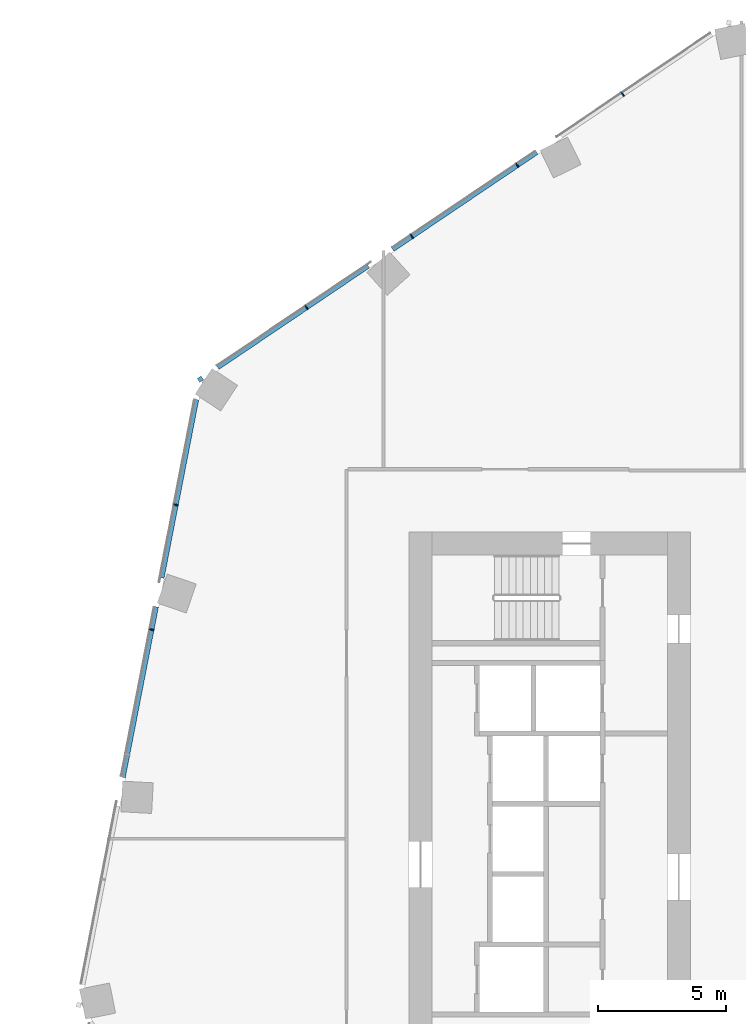
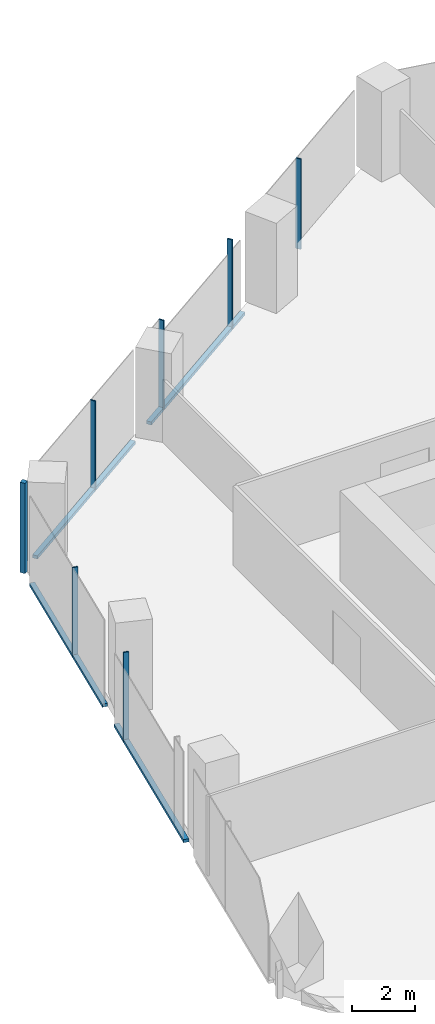
# One storey, part 9 of 25: 11 members, 2 elements without a shape of their own.
"""IFC4 building model written with IfcOpenShell, lengths in metres."""

from ifc_helpers import new_model, si_unit, direction, frame, origin, origin_2d, place, context, subcontext, project, spatial, rectangle, extrude, material, material_profile, profile_set, type_object, element, aggregate, save


model = new_model("IFC4")

# Units and contexts
model_context = context("Model", 3, precision=1e-05, world=origin(), true_north=direction((0.0, 1.0)))
body_context = subcontext(model_context, "Body", "Model", "MODEL_VIEW")
ifc_project = project(units=[si_unit("LENGTHUNIT", "METRE"), si_unit("AREAUNIT", "SQUARE_METRE"), si_unit("VOLUMEUNIT", "CUBIC_METRE"), si_unit("PLANEANGLEUNIT", "RADIAN"), si_unit("MASSUNIT", "GRAM", prefix="KILO")], contexts=[model_context])

# Site, building, storey
site_placement = place(None, origin())
site = spatial("IfcSite", under=ifc_project, at=site_placement, CompositionType="ELEMENT")
building_placement = place(site_placement, origin())
building = spatial("IfcBuilding", under=site, at=building_placement, Name="Orlundy Tower", CompositionType="ELEMENT")
storey_placement = place(building_placement, frame((0.0, 0.0, 159.60009765625)))
storey = spatial("IfcBuildingStorey", under=building, at=storey_placement, Name="L41", CompositionType="ELEMENT", Elevation=159.60009765625)

# Curtain wall, member
ifc_material_1 = material(Name="Aluminium bronze anodised", Category="aluminium")
curtain_wall_type = type_object("IfcCurtainWallType", Name="CW1 wall", PredefinedType="NOTDEFINED", material=ifc_material_1)
curtain_wall_1_placement = place(storey_placement, origin())
curtain_wall_1 = element("IfcCurtainWall", 1, at=curtain_wall_1_placement, inside=storey, type_object=curtain_wall_type, Name="CW1 run 03", PredefinedType="NOTDEFINED")
ifc_material_2 = material(Name="Aluminium bronze anodised", Category="aluminium")
ifc_material_profile_1 = material_profile(ifc_material_2, rectangle(XDim=0.179931640625, YDim=0.179931640625, at=origin_2d()), Name="CW1 corner post 180x180")
ifc_profile_set_1 = profile_set([ifc_material_profile_1], Name="Aluminium bronze anodised")
member_type_1 = type_object("IfcMemberType", Name="CW1 corner post 180x180", PredefinedType="MULLION", material=ifc_profile_set_1)
member_1_placement = place(storey_placement, frame((-27.1591796875, 17.975830078125, -0.400146484375), z_axis=(0.0, 0.0, 1.0), x_axis=(-0.559204698608, 0.829029616512, 0.0)))
member_1 = element("IfcMember", 2, at=member_1_placement, type_object=member_type_1, Name="CW1 mullion 14", PredefinedType="MULLION", context=body_context, shape_type="SweptSolid", body=[
    extrude(rectangle(XDim=0.179931640625, YDim=0.179931640625, at=origin_2d()), origin(), (0.0, 0.0, 1.0), 3.5),
])

# Curtain wall, members
curtain_wall_2_placement = place(storey_placement, origin())
curtain_wall_2 = element("IfcCurtainWall", 3, at=curtain_wall_2_placement, inside=storey, type_object=curtain_wall_type, Name="CW1 run 02", PredefinedType="NOTDEFINED")
ifc_material_3 = material(Name="Aluminium bronze anodised", Category="aluminium")
ifc_material_profile_2 = material_profile(ifc_material_3, rectangle(XDim=0.179931640625, YDim=0.050048828125, at=origin_2d()), Name="CW1 mullion 50x180")
ifc_profile_set_2 = profile_set([ifc_material_profile_2], Name="Aluminium bronze anodised")
member_type_2 = type_object("IfcMemberType", Name="CW1 mullion 50x180", PredefinedType="MULLION", material=ifc_profile_set_2)
member_2_placement = place(storey_placement, frame((-29.063232421875, 8.1806640625, -0.400146484375), z_axis=(0.0, 0.0, 1.0), x_axis=(-0.981627952333, 0.19080503976, 0.0)))
member_2 = element("IfcMember", 4, at=member_2_placement, type_object=member_type_2, Name="CW1 mullion 12", PredefinedType="MULLION", context=body_context, shape_type="SweptSolid", body=[
    extrude(rectangle(XDim=0.179931640625, YDim=0.050048828125, at=origin_2d()), origin(), (0.0, 0.0, 1.0), 3.5),
])
member_3_placement = place(storey_placement, frame((-28.11474609375, 13.06005859375, -0.400146484375), z_axis=(0.0, 0.0, 1.0), x_axis=(-0.981627952333, 0.19080503976, 0.0)))
member_3 = element("IfcMember", 5, at=member_3_placement, type_object=member_type_2, Name="CW1 mullion 13", PredefinedType="MULLION", context=body_context, shape_type="SweptSolid", body=[
    extrude(rectangle(XDim=0.179931640625, YDim=0.050048828125, at=origin_2d()), origin(), (0.0, 0.0, 1.0), 3.5),
])

# Member
member_4_placement = place(storey_placement, frame((-23.007568359375, 20.776123046875, -0.400146484375), z_axis=(0.0, 0.0, 1.0), x_axis=(-0.559204698608, 0.829029616512, 0.0)))
member_4 = element("IfcMember", 6, at=member_4_placement, type_object=member_type_2, Name="CW1 mullion 15", PredefinedType="MULLION", context=body_context, shape_type="SweptSolid", body=[
    extrude(rectangle(XDim=0.179931640625, YDim=0.050048828125, at=origin_2d()), origin(), (0.0, 0.0, 1.0), 3.5),
])

member_5_placement = place(storey_placement, frame((-18.88671875, 23.555908203125, -0.400146484375), z_axis=(0.0, 0.0, 1.0), x_axis=(-0.559204698608, 0.829029616512, 0.0)))
member_5 = element("IfcMember", 7, at=member_5_placement, type_object=member_type_2, Name="CW1 mullion 16", PredefinedType="MULLION", context=body_context, shape_type="SweptSolid", body=[
    extrude(rectangle(XDim=0.179931640625, YDim=0.050048828125, at=origin_2d()), origin(), (0.0, 0.0, 1.0), 3.5),
])

member_6_placement = place(storey_placement, frame((-14.765869140625, 26.33544921875, -0.400146484375), z_axis=(0.0, 0.0, 1.0), x_axis=(-0.559204698608, 0.829029616512, 0.0)))
member_6 = element("IfcMember", 8, at=member_6_placement, type_object=member_type_2, Name="CW1 mullion 17", PredefinedType="MULLION", context=body_context, shape_type="SweptSolid", body=[
    extrude(rectangle(XDim=0.179931640625, YDim=0.050048828125, at=origin_2d()), origin(), (0.0, 0.0, 1.0), 3.5),
])

member_7_placement = place(storey_placement, frame((-10.64501953125, 29.114990234375, -0.400146484375), z_axis=(0.0, 0.0, 1.0), x_axis=(-0.559204698608, 0.829029616512, 0.0)))
member_7 = element("IfcMember", 9, at=member_7_placement, type_object=member_type_2, Name="CW1 mullion 18", PredefinedType="MULLION", context=body_context, shape_type="SweptSolid", body=[
    extrude(rectangle(XDim=0.179931640625, YDim=0.050048828125, at=origin_2d()), origin(), (0.0, 0.0, 1.0), 3.5),
])

ifc_material_4 = material(Name="Aluminium bronze anodised", Category="aluminium")
ifc_material_profile_3 = material_profile(ifc_material_4, rectangle(XDim=0.179931640625, YDim=0.1201171875, at=origin_2d()), Name="CW1 transom 180x120")
ifc_profile_set_3 = profile_set([ifc_material_profile_3], Name="Aluminium bronze anodised")
member_type_3 = type_object("IfcMemberType", Name="CW1 transom 180x120", PredefinedType="USERDEFINED", material=ifc_profile_set_3)
member_8_placement = place(storey_placement, frame((-30.185546875, 2.406494140625, -0.340087890625), z_axis=(0.190799450764, 0.981629038684, 0.0), x_axis=(-0.981629038684, 0.190799450764, 0.0)))
member_8 = element("IfcMember", 10, at=member_8_placement, type_object=member_type_3, Name="CW1 transom", ObjectType="TRANSOM", PredefinedType="USERDEFINED", context=body_context, shape_type="SweptSolid", body=[
    extrude(rectangle(XDim=0.179931640625, YDim=0.1201171875, at=origin_2d()), origin(), (0.0, 0.0, 1.0), 6.79443359375),
])

member_9_placement = place(storey_placement, frame((-28.6708984375, 10.19921875, -0.340087890625), z_axis=(0.190824629914, 0.981624144272, 0.0), x_axis=(-0.981624144272, 0.190824629914, 0.0)))
member_9 = element("IfcMember", 11, at=member_9_placement, type_object=member_type_3, Name="CW1 transom", ObjectType="TRANSOM", PredefinedType="USERDEFINED", context=body_context, shape_type="SweptSolid", body=[
    extrude(rectangle(XDim=0.179931640625, YDim=0.1201171875, at=origin_2d()), origin(), (0.0, 0.0, 1.0), 7.11083984375),
])

aggregate(curtain_wall_2, [member_2, member_3, member_8, member_9])

member_10_placement = place(storey_placement, frame((-26.485595703125, 18.43017578125, -0.340087890625), z_axis=(0.82903432821, 0.559197713381, 0.0), x_axis=(-0.559197713381, 0.82903432821, 0.0)))
member_10 = element("IfcMember", 12, at=member_10_placement, type_object=member_type_3, Name="CW1 transom", ObjectType="TRANSOM", PredefinedType="USERDEFINED", context=body_context, shape_type="SweptSolid", body=[
    extrude(rectangle(XDim=0.179931640625, YDim=0.1201171875, at=origin_2d()), origin(), (0.0, 0.0, 1.0), 7.1025390625),
])

member_11_placement = place(storey_placement, frame((-19.642822265625, 23.0458984375, -0.340087890625), z_axis=(0.829031068429, 0.559202546114, 0.0), x_axis=(-0.559202546114, 0.829031068429, 0.0)))
member_11 = element("IfcMember", 13, at=member_11_placement, type_object=member_type_3, Name="CW1 transom", ObjectType="TRANSOM", PredefinedType="USERDEFINED", context=body_context, shape_type="SweptSolid", body=[
    extrude(rectangle(XDim=0.179931640625, YDim=0.1201171875, at=origin_2d()), origin(), (0.0, 0.0, 1.0), 6.794921875),
])

aggregate(curtain_wall_1, [member_1, member_4, member_5, member_6, member_7, member_10, member_11])

save(model, "model.ifc")
